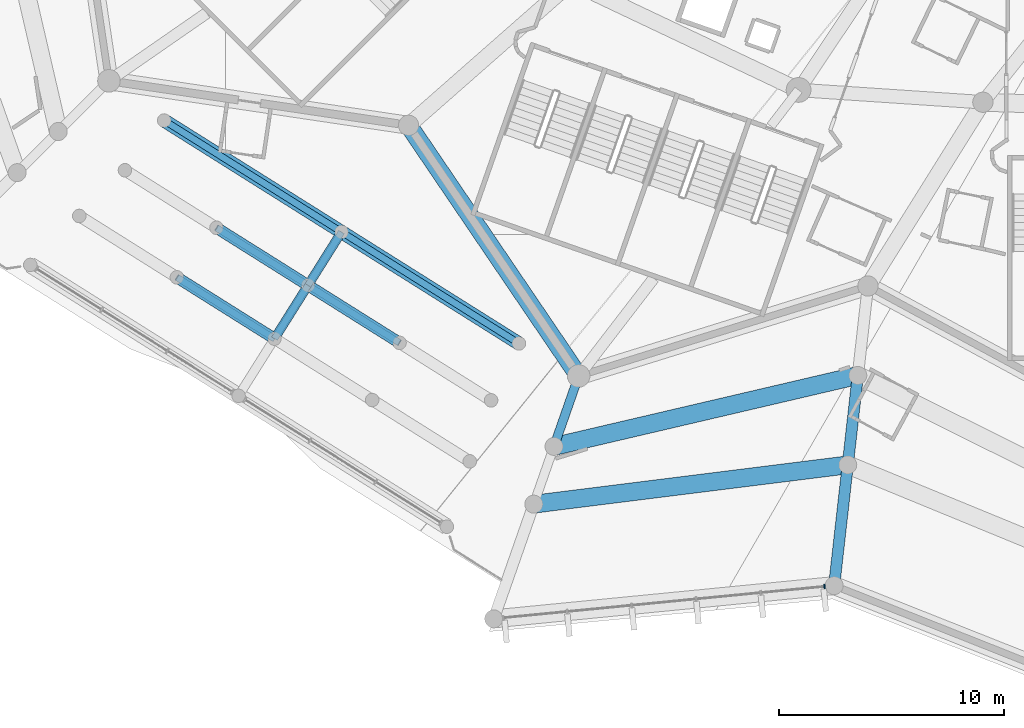
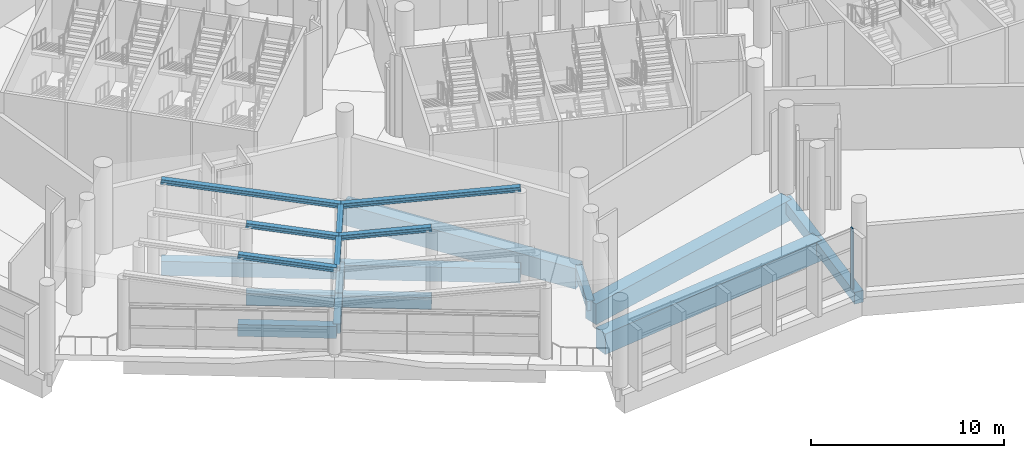
# One storey, part 10 of 271: 20 beams, 1 member, 1 element without a shape of its own.
"""IFC4 building model written with IfcOpenShell, lengths in metres."""

import ifcopenshell
import ifcopenshell.guid

model = None  # the IFC model being written
_history = None  # IfcOwnerHistory: only IFC2X3 demands one
_inside = {}  # id of a spatial element -> (the spatial element, [elements in it])
_under = {}  # id of a project, library or spatial element -> (it, [spatial elements below it])
_declared = {}  # id of a project -> (the project, [libraries it declares])
_typed = {}  # id of a type object -> (the type object, [elements of that type])
_made_of = {}  # id of a material, layer set ... -> (it, [elements and type objects made of it])


def new_model(schema):
    """Start an empty IFC model of exactly this schema.

    Asked for "IFC4X3", IfcOpenShell would pick the latest addendum, in which some entities
    have other attributes; the version numbers below select the first issue.
    IFC2X3 requires an IfcOwnerHistory on every rooted entity: one is made here for all.
    """
    global model, _history
    if schema == "IFC4X3":
        model = ifcopenshell.file(schema_version=(4, 3, 0, 0))
    else:
        model = ifcopenshell.file(schema=schema)
    _inside.clear()
    _under.clear()
    _declared.clear()
    _typed.clear()
    _made_of.clear()
    _history = None
    if model.schema == "IFC2X3":
        org = make("IfcOrganization", Name="unknown")
        user = make(
            "IfcPersonAndOrganization",
            ThePerson=make("IfcPerson", FamilyName="unknown"),
            TheOrganization=org,
        )
        app = make(
            "IfcApplication",
            ApplicationDeveloper=org,
            Version="unknown",
            ApplicationFullName="unknown",
            ApplicationIdentifier="unknown",
        )
        _history = make(
            "IfcOwnerHistory",
            OwningUser=user,
            OwningApplication=app,
            ChangeAction="ADDED",
            CreationDate=0,
        )
    return model


def make(cls, **values):
    """One entity of the class cls with the attributes given. An attribute that is None is left unset."""
    return model.create_entity(
        cls, **{name: value for name, value in values.items() if value is not None}
    )


def rooted(cls, **values):
    """An entity with a GlobalId (a new one), such as an element, a storey or a relation."""
    return make(cls, GlobalId=ifcopenshell.guid.new(), OwnerHistory=_history, **values)


def si_unit(unit_type, name, prefix=None):
    """IfcSIUnit, for example si_unit("LENGTHUNIT", "METRE", prefix="MILLI")."""
    return make("IfcSIUnit", UnitType=unit_type, Prefix=prefix, Name=name)


def assignment(units):
    """IfcUnitAssignment: the units of a project."""
    return None if units is None else make("IfcUnitAssignment", Units=units)


def point(xyz):
    """IfcCartesianPoint."""
    return None if xyz is None else make("IfcCartesianPoint", Coordinates=xyz)


def direction(xyz):
    """IfcDirection."""
    return None if xyz is None else make("IfcDirection", DirectionRatios=xyz)


def frame(location, z_axis=None, x_axis=None):
    """IfcAxis2Placement3D, a coordinate frame: its origin and axes. An axis left out is left unset."""
    return make(
        "IfcAxis2Placement3D",
        Location=point(location),
        Axis=direction(z_axis),
        RefDirection=direction(x_axis),
    )


def frame_2d(location, x_axis=None):
    """IfcAxis2Placement2D, a coordinate frame in the plane: its origin and x axis."""
    return make(
        "IfcAxis2Placement2D", Location=point(location), RefDirection=direction(x_axis)
    )


def origin():
    """The frame at (0, 0, 0) with its axes left unset."""
    return frame((0.0, 0.0, 0.0))


def origin_2d():
    """The frame at (0, 0) in the plane with its x axis left unset."""
    return frame_2d((0.0, 0.0))


def place(relative_to, where):
    """IfcLocalPlacement: puts the frame where relative to a parent placement (None: the world)."""
    return make(
        "IfcLocalPlacement", PlacementRelTo=relative_to, RelativePlacement=where
    )


def context(
    kind, dimensions, precision=None, world=None, true_north=None, identifier=None
):
    """IfcGeometricRepresentationContext, for example the 3D "Model" context."""
    return make(
        "IfcGeometricRepresentationContext",
        ContextIdentifier=identifier,
        ContextType=kind,
        CoordinateSpaceDimension=dimensions,
        Precision=precision,
        WorldCoordinateSystem=world,
        TrueNorth=true_north,
    )


def subcontext(parent, identifier, kind, view, scale=None):
    """IfcGeometricRepresentationSubContext, for example "Body" below "Model"."""
    return make(
        "IfcGeometricRepresentationSubContext",
        ContextIdentifier=identifier,
        ContextType=kind,
        ParentContext=parent,
        TargetScale=scale,
        TargetView=view,
    )


def project(units=None, contexts=None):
    """IfcProject with its units and contexts."""
    return rooted(
        "IfcProject",
        Name="project",
        RepresentationContexts=contexts,
        UnitsInContext=assignment(units),
    )


def spatial(cls, under=None, at=None, **own):
    """A site, building, storey or space (cls), placed at a placement, below another one or the project."""
    s = rooted(cls, ObjectPlacement=at, **own)
    if under is not None:
        _under.setdefault(under.id(), (under, []))[1].append(s)
    return s


def profile(cls, at=None, kind="AREA", **sizes):
    """A parametric profile (cls). Its sizes go by their IFC names, for example OverallWidth=200.0."""
    return make(cls, ProfileType=kind, Position=at, **sizes)


def rectangle(**sizes):
    """IfcRectangleProfileDef."""
    return profile("IfcRectangleProfileDef", **sizes)


def i_section(**sizes):
    """IfcIShapeProfileDef."""
    return profile("IfcIShapeProfileDef", **sizes)


def extrude(swept, where, along, depth):
    """IfcExtrudedAreaSolid: the profile swept, set in the frame where, extruded along a direction by depth."""
    return make(
        "IfcExtrudedAreaSolid",
        SweptArea=swept,
        Position=where,
        ExtrudedDirection=direction(along),
        Depth=depth,
    )


def shape(context_of_items, identifier, shape_type, items):
    """IfcShapeRepresentation: the items that make up one representation, for example the "Body"."""
    return make(
        "IfcShapeRepresentation",
        ContextOfItems=context_of_items,
        RepresentationIdentifier=identifier,
        RepresentationType=shape_type,
        Items=items,
    )


def material(Name=None, Category=None):
    """IfcMaterial."""
    return make("IfcMaterial", Name=Name, Category=Category)


def layer(
    of_material, thickness, ventilated=None, Name=None, Category=None, Priority=None
):
    """IfcMaterialLayer: one layer of a wall or slab, of a material (None: an air gap)."""
    return make(
        "IfcMaterialLayer",
        Material=of_material,
        LayerThickness=thickness,
        IsVentilated=ventilated,
        Name=Name,
        Category=Category,
        Priority=Priority,
    )


def layer_set(layers, Name=None):
    """IfcMaterialLayerSet."""
    return make("IfcMaterialLayerSet", MaterialLayers=layers, LayerSetName=Name)


def material_profile(
    of_material, cross_section, Name=None, Category=None, Priority=None
):
    """IfcMaterialProfile: a cross section and its material."""
    return make(
        "IfcMaterialProfile",
        Name=Name,
        Material=of_material,
        Profile=cross_section,
        Priority=Priority,
        Category=Category,
    )


def profile_set(profiles, Name=None, composite=None):
    """IfcMaterialProfileSet."""
    return make(
        "IfcMaterialProfileSet",
        Name=Name,
        MaterialProfiles=profiles,
        CompositeProfile=composite,
    )


def made_of(thing, what):
    """Note that an element or type object is made of a material, layer set ...; save() writes the relation."""
    if what is not None:
        _made_of.setdefault(what.id(), (what, []))[1].append(thing)
    return thing


def type_object(cls, material=None, **own):
    """A type object (cls), such as IfcWallType, which elements share."""
    return made_of(rooted(cls, **own), material)


def element(
    cls,
    number,
    at=None,
    inside=None,
    cuts=None,
    type_object=None,
    material=None,
    context=None,
    identifier="Body",
    shape_type=None,
    held_by="IfcProductDefinitionShape",
    body=None,
    shapes=None,
    **own,
):
    """One element of the class cls, such as IfcWall. Its Tag is "e" and its number.

    at: its placement. inside: the storey or other place that contains it. cuts: it is an
    opening in that element (IfcRelVoidsElement). A single representation is given by context,
    identifier, shape_type and body (its items); several are given by shapes. held_by: the class
    of the entity that holds the representations. save() writes the other relations.
    """
    e = rooted(cls, Tag="e%d" % number, ObjectPlacement=at, **own)
    if body is not None:
        shapes = [shape(context, identifier, shape_type, body)]
    if shapes is not None:
        e.Representation = make(held_by, Representations=shapes)
    if inside is not None:
        _inside.setdefault(inside.id(), (inside, []))[1].append(e)
    if cuts is not None:
        rooted(
            "IfcRelVoidsElement", RelatingBuildingElement=cuts, RelatedOpeningElement=e
        )
    if type_object is not None:
        _typed.setdefault(type_object.id(), (type_object, []))[1].append(e)
    return made_of(e, material)


def aggregate(whole, parts):
    """IfcRelAggregates: a whole, such as a stair, and the parts it consists of."""
    return rooted("IfcRelAggregates", RelatingObject=whole, RelatedObjects=parts)


def save(model, path):
    """Write the relations noted so far, then the file.

    IfcRelAggregates (storeys below a building ...), IfcRelContainedInSpatialStructure (elements
    in a storey), IfcRelDefinesByType, IfcRelAssociatesMaterial and IfcRelDeclares: one each for
    every whole, place, type object, material and project.
    """
    for whole, parts in _under.values():
        aggregate(whole, parts)
    for where, things in _inside.values():
        rooted(
            "IfcRelContainedInSpatialStructure",
            RelatedElements=things,
            RelatingStructure=where,
        )
    for kind, things in _typed.values():
        rooted("IfcRelDefinesByType", RelatedObjects=things, RelatingType=kind)
    for what, things in _made_of.values():
        rooted("IfcRelAssociatesMaterial", RelatedObjects=things, RelatingMaterial=what)
    for by, libraries in _declared.values():
        rooted("IfcRelDeclares", RelatingContext=by, RelatedDefinitions=libraries)
    model.write(path)


model = new_model("IFC4")

# Units and contexts
model_context = context("Model", 3, precision=1e-05, world=origin(), true_north=direction((0.0, 1.0)))
body_context = subcontext(model_context, "Body", "Model", "MODEL_VIEW")
ifc_project = project(units=[si_unit("LENGTHUNIT", "METRE"), si_unit("AREAUNIT", "SQUARE_METRE"), si_unit("VOLUMEUNIT", "CUBIC_METRE"), si_unit("PLANEANGLEUNIT", "RADIAN"), si_unit("MASSUNIT", "GRAM", prefix="KILO")], contexts=[model_context])

# Site, building, storey
site_placement = place(None, origin())
site = spatial("IfcSite", under=ifc_project, at=site_placement, CompositionType="ELEMENT")
building_placement = place(site_placement, origin())
building = spatial("IfcBuilding", under=site, at=building_placement, Name="Meseta Stadium", CompositionType="ELEMENT")
storey_placement = place(building_placement, frame((0.0, 0.0, 6.5)))
storey = spatial("IfcBuildingStorey", under=building, at=storey_placement, Name="L01", CompositionType="ELEMENT", Elevation=6.5)

# Beams
ifc_material_1 = material(Name="Steel S355", Category="steel")
ifc_material_profile_1 = material_profile(ifc_material_1, i_section(OverallWidth=0.300048828125, OverallDepth=0.300048828125, WebThickness=0.010986328125, FlangeThickness=0.01904296875, FilletRadius=0.027099609375, at=origin_2d()), Name="HEB 300")
ifc_profile_set_1 = profile_set([ifc_material_profile_1], Name="Steel S355")
beam_type_1 = type_object("IfcBeamType", Name="Gate roof beam HEB 300", PredefinedType="BEAM", material=ifc_profile_set_1)
beam_1_placement = place(storey_placement, frame((-74.836181640625, -95.892578125, 3.256591796875), z_axis=(-0.531913691205, -0.84656317679, -0.019965290163), x_axis=(0.846731952713, -0.532019736715, 0.0)))
element("IfcBeam", 1, at=beam_1_placement, inside=storey, type_object=beam_type_1, Name="Gate 6 valley beam", PredefinedType="BEAM", context=body_context, shape_type="SweptSolid", body=[
    extrude(i_section(OverallWidth=0.300048828125, OverallDepth=0.300048828125, WebThickness=0.010986328125, FlangeThickness=0.01904296875, FilletRadius=0.027099609375, at=origin_2d()), origin(), (0.0, 0.0, 1.0), 2.80029296875),
])
beam_2_placement = place(storey_placement, frame((-76.32568359375, -98.26318359375, 3.20068359375), z_axis=(-0.531936018679, -0.846547144771, -0.020050030203), x_axis=(0.846717353638, -0.532042971054, 0.0)))
element("IfcBeam", 2, at=beam_2_placement, inside=storey, type_object=beam_type_1, Name="Gate 6 valley beam", PredefinedType="BEAM", context=body_context, shape_type="SweptSolid", body=[
    extrude(i_section(OverallWidth=0.300048828125, OverallDepth=0.300048828125, WebThickness=0.010986328125, FlangeThickness=0.01904296875, FilletRadius=0.027099609375, at=origin_2d()), origin(), (0.0, 0.0, 1.0), 2.800537109375),
])
ifc_material_2 = material(Name="Steel S355", Category="steel")
ifc_material_profile_2 = material_profile(ifc_material_2, i_section(OverallWidth=0.300048828125, OverallDepth=0.300048828125, WebThickness=0.010986328125, FlangeThickness=0.01904296875, FilletRadius=0.027099609375, at=origin_2d()), Name="HEB 300")
ifc_profile_set_2 = profile_set([ifc_material_profile_2], Name="Steel S355")
beam_type_2 = type_object("IfcBeamType", Name="Gate roof beam HEB 300 rafter", PredefinedType="BEAM", material=ifc_profile_set_2)
beam_3_placement = place(storey_placement, frame((-82.719482421875, -90.93896484375, 4.56005859375), z_axis=(0.838536373726, -0.52690935345, -0.138648055105), x_axis=(0.53204802373, 0.84671417872, 0.0)))
element("IfcBeam", 3, at=beam_3_placement, inside=storey, type_object=beam_type_2, Name="Gate 6 roof rafter", PredefinedType="BEAM", context=body_context, shape_type="SweptSolid", body=[
    extrude(i_section(OverallWidth=0.300048828125, OverallDepth=0.300048828125, WebThickness=0.010986328125, FlangeThickness=0.01904296875, FilletRadius=0.027099609375, at=origin_2d()), origin(), (0.0, 0.0, 1.0), 9.4013671875),
])
beam_4_placement = place(storey_placement, frame((-74.836181640625, -95.892578125, 3.256591796875), z_axis=(0.838547847595, -0.526890593988, 0.138649952255), x_axis=(0.532029224003, 0.846725991574, 0.0)))
element("IfcBeam", 4, at=beam_4_placement, inside=storey, type_object=beam_type_2, Name="Gate 6 roof rafter", PredefinedType="BEAM", context=body_context, shape_type="SweptSolid", body=[
    extrude(i_section(OverallWidth=0.300048828125, OverallDepth=0.300048828125, WebThickness=0.010986328125, FlangeThickness=0.01904296875, FilletRadius=0.027099609375, at=origin_2d()), origin(), (0.0, 0.0, 1.0), 9.401123046875),
])
for number, where, z_axis, x_axis, name in (
    (5, (-80.394287109375, -95.706787109375, 3.873291015625), (0.838555882071, -0.526883806851, -0.138627150021), (0.532020655849, 0.846731375201, 0.0), "Gate 6 roof rafter"),
    (6, (-76.32568359375, -98.26318359375, 3.20068359375), (0.83854094542, -0.526906039336, 0.138632999558), (0.532043544989, 0.846716993, 0.0), "Gate 6 roof rafter"),
):
    element("IfcBeam", number, at=place(storey_placement, frame(where, z_axis=z_axis, x_axis=x_axis)), inside=storey, type_object=beam_type_2, Name=name, PredefinedType="BEAM", context=body_context, shape_type="SweptSolid", body=[
        extrude(i_section(OverallWidth=0.300048828125, OverallDepth=0.300048828125, WebThickness=0.010986328125, FlangeThickness=0.01904296875, FilletRadius=0.027099609375, at=origin_2d()), origin(), (0.0, 0.0, 1.0), 4.851806640625),
    ])
beam_5_placement = place(storey_placement, frame((-82.154541015625, -97.90771484375, 3.862060546875), z_axis=(0.838555120685, -0.526874755679, -0.138666150886), x_axis=(0.532014449592, 0.846735274702, 0.0)))
element("IfcBeam", 7, at=beam_5_placement, inside=storey, type_object=beam_type_2, Name="Gate 6 roof rafter", PredefinedType="BEAM", context=body_context, shape_type="SweptSolid", body=[
    extrude(i_section(OverallWidth=0.300048828125, OverallDepth=0.300048828125, WebThickness=0.010986328125, FlangeThickness=0.01904296875, FilletRadius=0.027099609375, at=origin_2d()), origin(), (0.0, 0.0, 1.0), 5.174560546875),
])
ifc_material_3 = material(Name="Concrete C40/50", Category="concrete")
ifc_material_profile_3 = material_profile(ifc_material_3, rectangle(XDim=0.39990234375, YDim=0.60009765625, at=origin_2d()), Name="RC 400x600")
ifc_profile_set_3 = profile_set([ifc_material_profile_3], Name="Concrete C40/50")
beam_type_3 = type_object("IfcBeamType", Name="RC beam 400x600", PredefinedType="BEAM", material=ifc_profile_set_3)
beam_6_placement = place(storey_placement, frame((-64.297607421875, -102.291015625, -0.64990234375), z_axis=(-0.330229180525, -0.943900783096, 0.0), x_axis=(0.943900783096, -0.330229180525, 0.0)))
element("IfcBeam", 8, at=beam_6_placement, inside=storey, type_object=beam_type_3, Name="L01 radial beam frame 42 line R to M", PredefinedType="BEAM", context=body_context, shape_type="SweptSolid", body=[
    extrude(rectangle(XDim=0.39990234375, YDim=0.60009765625, at=origin_2d()), origin(), (0.0, 0.0, 1.0), 3.31884765625),
])
beam_7_placement = place(storey_placement, frame((-74.836181640625, -95.892578125, -0.64990234375), z_axis=(-0.532019736715, -0.846731952713, 0.0), x_axis=(0.846731952713, -0.532019736715, 0.0)))
element("IfcBeam", 9, at=beam_7_placement, inside=storey, type_object=beam_type_3, Name="Gate 6 floor beam", PredefinedType="BEAM", context=body_context, shape_type="SweptSolid", body=[
    extrude(rectangle(XDim=0.39990234375, YDim=0.60009765625, at=origin_2d()), origin(), (0.0, 0.0, 1.0), 2.7998046875),
])
beam_8_placement = place(storey_placement, frame((-76.32568359375, -98.26318359375, -0.64990234375), z_axis=(-0.532042971054, -0.846717353638, 0.0), x_axis=(0.846717353638, -0.532042971054, 0.0)))
element("IfcBeam", 10, at=beam_8_placement, inside=storey, type_object=beam_type_3, Name="Gate 6 floor beam", PredefinedType="BEAM", context=body_context, shape_type="SweptSolid", body=[
    extrude(rectangle(XDim=0.39990234375, YDim=0.60009765625, at=origin_2d()), origin(), (0.0, 0.0, 1.0), 2.800048828125),
])
ifc_material_4 = material(Name="Concrete C40/50", Category="concrete")
ifc_material_profile_4 = material_profile(ifc_material_4, rectangle(XDim=0.5, YDim=0.75, at=origin_2d()), Name="RC 500x750")
ifc_profile_set_4 = profile_set([ifc_material_profile_4], Name="Concrete C40/50")
beam_type_4 = type_object("IfcBeamType", Name="RC beam 500x750", PredefinedType="BEAM", material=ifc_profile_set_4)
beam_9_placement = place(storey_placement, frame((-51.889404296875, -102.269287109375, -0.72509765625), z_axis=(-0.111938672346, -0.993715116939, 0.0), x_axis=(0.993715116939, -0.111938672346, 0.0)))
element("IfcBeam", 11, at=beam_9_placement, inside=storey, type_object=beam_type_4, Name="L01 radial beam frame 43 line M to Q", PredefinedType="BEAM", context=body_context, shape_type="SweptSolid", body=[
    extrude(rectangle(XDim=0.5, YDim=0.75, at=origin_2d()), origin(), (0.0, 0.0, 1.0), 4.0),
])
beam_10_placement = place(storey_placement, frame((-52.337158203125, -106.244140625, -0.72509765625), z_axis=(-0.111989542172, -0.993709385305, 0.0), x_axis=(0.993709385305, -0.111989542172, 0.0)))
element("IfcBeam", 12, at=beam_10_placement, inside=storey, type_object=beam_type_4, Name="L01 radial beam frame 43 line Q to O", PredefinedType="BEAM", context=body_context, shape_type="SweptSolid", body=[
    extrude(rectangle(XDim=0.5, YDim=0.75, at=origin_2d()), origin(), (0.0, 0.0, 1.0), 5.39990234375),
])
beam_11_placement = place(storey_placement, frame((-80.394287109375, -95.706787109375, -0.72509765625), z_axis=(0.846731375201, -0.532020655849, 0.0), x_axis=(0.532020655849, 0.846731375201, 0.0)))
element("IfcBeam", 13, at=beam_11_placement, inside=storey, type_object=beam_type_4, Name="Gate 6 floor beam", PredefinedType="BEAM", context=body_context, shape_type="SweptSolid", body=[
    extrude(rectangle(XDim=0.5, YDim=0.75, at=origin_2d()), origin(), (0.0, 0.0, 1.0), 4.80517578125),
])
beam_12_placement = place(storey_placement, frame((-76.32568359375, -98.26318359375, -0.72509765625), z_axis=(0.846716993, -0.532043544989, 0.0), x_axis=(0.532043544989, 0.846716993, 0.0)))
element("IfcBeam", 14, at=beam_12_placement, inside=storey, type_object=beam_type_4, Name="Gate 6 floor beam", PredefinedType="BEAM", context=body_context, shape_type="SweptSolid", body=[
    extrude(rectangle(XDim=0.5, YDim=0.75, at=origin_2d()), origin(), (0.0, 0.0, 1.0), 4.804931640625),
])
beam_13_placement = place(storey_placement, frame((-82.154541015625, -97.90771484375, -0.72509765625), z_axis=(0.846735274702, -0.532014449592, 0.0), x_axis=(0.532014449592, 0.846735274702, 0.0)))
element("IfcBeam", 15, at=beam_13_placement, inside=storey, type_object=beam_type_4, Name="Gate 6 floor beam", PredefinedType="BEAM", context=body_context, shape_type="SweptSolid", body=[
    extrude(rectangle(XDim=0.5, YDim=0.75, at=origin_2d()), origin(), (0.0, 0.0, 1.0), 5.12451171875),
])
ifc_material_5 = material(Name="Concrete C40/50", Category="concrete")
ifc_material_profile_5 = material_profile(ifc_material_5, rectangle(XDim=0.60009765625, YDim=0.89990234375, at=origin_2d()), Name="RC 600x900")
ifc_profile_set_5 = profile_set([ifc_material_profile_5], Name="Concrete C40/50")
beam_type_5 = type_object("IfcBeamType", Name="RC beam 600x900", PredefinedType="BEAM", material=ifc_profile_set_5)
beam_14_placement = place(storey_placement, frame((-82.719482421875, -90.93896484375, -0.800048828125), z_axis=(0.84671417872, -0.53204802373, 0.0), x_axis=(0.53204802373, 0.84671417872, 0.0)))
element("IfcBeam", 16, at=beam_14_placement, inside=storey, type_object=beam_type_5, Name="Gate 6 floor beam", PredefinedType="BEAM", context=body_context, shape_type="SweptSolid", body=[
    extrude(rectangle(XDim=0.60009765625, YDim=0.89990234375, at=origin_2d()), origin(), (0.0, 0.0, 1.0), 9.310546875),
])
beam_15_placement = place(storey_placement, frame((-74.836181640625, -95.892578125, -0.800048828125), z_axis=(0.846725991574, -0.532029224003, 0.0), x_axis=(0.532029224003, 0.846725991574, 0.0)))
element("IfcBeam", 17, at=beam_15_placement, inside=storey, type_object=beam_type_5, Name="Gate 6 floor beam", PredefinedType="BEAM", context=body_context, shape_type="SweptSolid", body=[
    extrude(rectangle(XDim=0.60009765625, YDim=0.89990234375, at=origin_2d()), origin(), (0.0, 0.0, 1.0), 9.310302734375),
])
ifc_material_6 = material(Name="Concrete C40/50", Category="concrete")
ifc_material_profile_6 = material_profile(ifc_material_6, rectangle(XDim=0.800048828125, YDim=1.300048828125, at=origin_2d()), Name="RC 800x1300")
ifc_profile_set_6 = profile_set([ifc_material_profile_6], Name="Concrete C40/50")
beam_type_6 = type_object("IfcBeamType", Name="RC beam 800x1300", PredefinedType="BEAM", material=ifc_profile_set_6)
beam_16_placement = place(storey_placement, frame((-71.856689453125, -91.15087890625, -1.0), z_axis=(0.561486340317, -0.827486005705, 0.0), x_axis=(0.827486005705, 0.561486340317, 0.0)))
element("IfcBeam", 18, at=beam_16_placement, inside=storey, type_object=beam_type_6, Name="L01 ring beam frame 41 line R", PredefinedType="BEAM", context=body_context, shape_type="SweptSolid", body=[
    extrude(rectangle(XDim=0.800048828125, YDim=1.300048828125, at=origin_2d()), origin(), (0.0, 0.0, 1.0), 13.462646484375),
])
beam_17_placement = place(storey_placement, frame((-65.3935546875, -105.423583984375, -1.0), z_axis=(0.973788071175, 0.227457232108, 0.0), x_axis=(-0.227457232108, 0.973788071175, 0.0)))
element("IfcBeam", 19, at=beam_17_placement, inside=storey, type_object=beam_type_6, Name="L01 ring beam frame 42 line M", PredefinedType="BEAM", context=body_context, shape_type="SweptSolid", body=[
    extrude(rectangle(XDim=0.800048828125, YDim=1.300048828125, at=origin_2d()), origin(), (0.0, 0.0, 1.0), 13.86767578125),
])
beam_18_placement = place(storey_placement, frame((-66.29150390625, -107.989990234375, -1.0), z_axis=(0.99226424955, 0.124143703283, 0.0), x_axis=(-0.124143703283, 0.99226424955, 0.0)))
element("IfcBeam", 20, at=beam_18_placement, inside=storey, type_object=beam_type_6, Name="L01 ring beam frame 42 line Q", PredefinedType="BEAM", context=body_context, shape_type="SweptSolid", body=[
    extrude(rectangle(XDim=0.800048828125, YDim=1.300048828125, at=origin_2d()), origin(), (0.0, 0.0, 1.0), 14.063232421875),
])

# Curtain wall, member
ifc_material_7 = material(Name="Aluminium", Category="aluminium")
ifc_layer = layer(ifc_material_7, 0.199951171875)
ifc_layer_set = layer_set([ifc_layer], Name="Ring shopfront curtain wall")
curtain_wall_type = type_object("IfcCurtainWallType", Name="Ring shopfront curtain wall", PredefinedType="NOTDEFINED", material=ifc_layer_set)
curtain_wall_placement = place(storey_placement, origin())
curtain_wall = element("IfcCurtainWall", 21, at=curtain_wall_placement, inside=storey, type_object=curtain_wall_type, Name="Ring glazing L01 F42", PredefinedType="NOTDEFINED")
ifc_material_8 = material(Name="Aluminium", Category="aluminium")
ifc_material_profile_7 = material_profile(ifc_material_8, rectangle(XDim=0.199951171875, YDim=0.06005859375, at=origin_2d()), Name="CW 200x60")
ifc_profile_set_7 = profile_set([ifc_material_profile_7], Name="Aluminium")
member_type = type_object("IfcMemberType", Name="Ring CW mullion 60x200", PredefinedType="MULLION", material=ifc_profile_set_7)
member_placement = place(storey_placement, frame((-53.369873046875, -111.65185546875, 0.0), z_axis=(0.0, 0.0, 1.0), x_axis=(-0.097124618973, 0.995272228282, 0.0)))
member = element("IfcMember", 22, at=member_placement, type_object=member_type, Name="CWR1 mullion 6", PredefinedType="MULLION", context=body_context, shape_type="SweptSolid", body=[
    extrude(rectangle(XDim=0.199951171875, YDim=0.06005859375, at=origin_2d()), origin(), (0.0, 0.0, 1.0), 3.85009765625),
])
aggregate(curtain_wall, [member])

save(model, "model.ifc")
